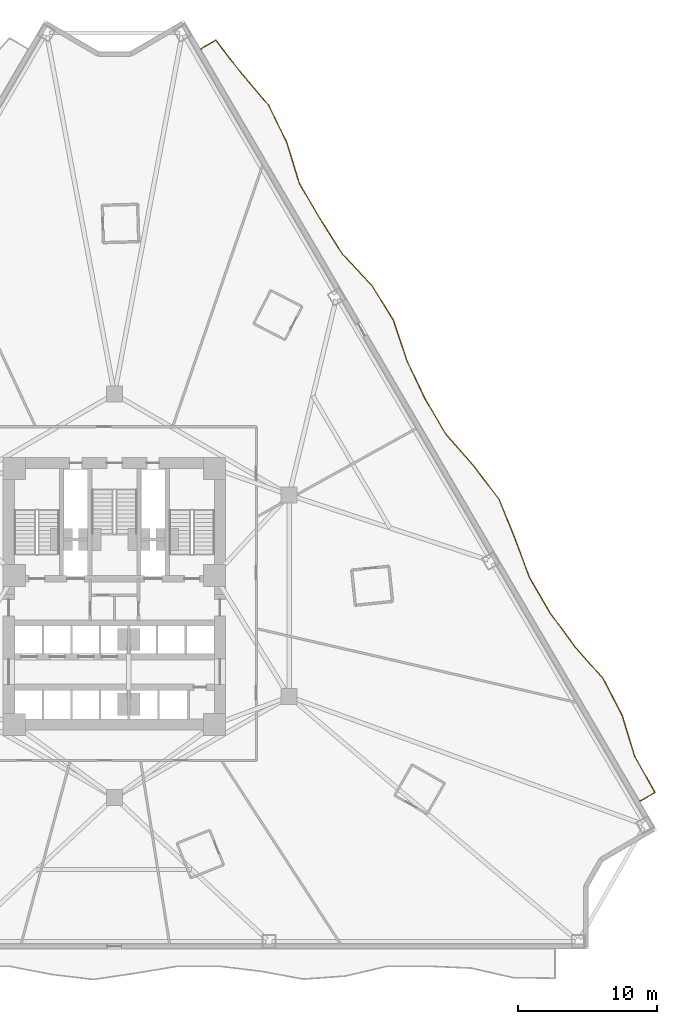
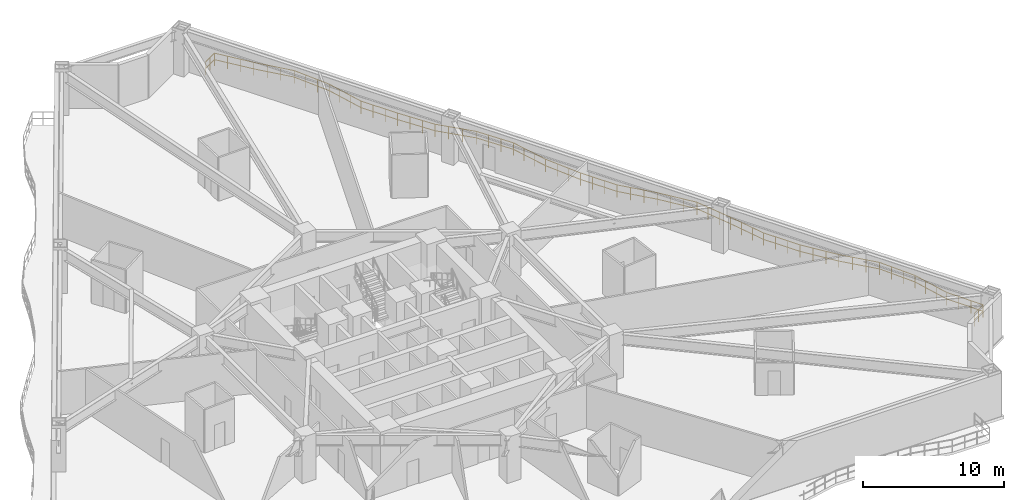
# One storey, part 12 of 12: 1 railing.
"""IFC4 building model written with IfcOpenShell, lengths in metres."""

from ifc_helpers import new_model, si_unit, direction, frame, origin, origin_2d, place, context, subcontext, project, spatial, rectangle, extrude, material, type_object, element, save


model = new_model("IFC4")

# Units and contexts
model_context = context("Model", 3, precision=1e-05, world=origin(), true_north=direction((0.0, 1.0)))
body_context = subcontext(model_context, "Body", "Model", "MODEL_VIEW")
ifc_project = project(units=[si_unit("LENGTHUNIT", "METRE"), si_unit("AREAUNIT", "SQUARE_METRE"), si_unit("VOLUMEUNIT", "CUBIC_METRE"), si_unit("PLANEANGLEUNIT", "RADIAN"), si_unit("MASSUNIT", "GRAM", prefix="KILO")], contexts=[model_context])

# Site, building, storey
site_placement = place(None, origin())
site = spatial("IfcSite", under=ifc_project, at=site_placement, CompositionType="ELEMENT")
building_placement = place(site_placement, origin())
building = spatial("IfcBuilding", under=site, at=building_placement, Name="Apsidion Concourse Tower", CompositionType="ELEMENT")
storey_placement = place(building_placement, frame((0.0, 0.0, 42.39990234375)))
storey = spatial("IfcBuildingStorey", under=building, at=storey_placement, Name="L08", CompositionType="ELEMENT", Elevation=42.39990234375)

# Railing
ifc_material = material(Name="Brushed stainless steel 316", Category="steel")
railing_type = type_object("IfcRailingType", Name="RL-BAL-1120", PredefinedType="BALUSTRADE", material=ifc_material)
railing_placement = place(storey_placement, frame((6.204833984375, 39.32275390625, 0.0)))
element("IfcRailing", 1, at=railing_placement, inside=storey, type_object=railing_type, Name="L08 Face 3 Rippling Balcony Balustrade", PredefinedType="BALUSTRADE", context=body_context, shape_type="SweptSolid", body=[
    extrude(rectangle(XDim=0.048095703125, YDim=0.048095703125, at=origin_2d()), frame((0.0, 0.0, 1.09619140625), z_axis=(0.863516668547, 0.504320298165, 0.0), x_axis=(-0.504320298165, 0.863516668547, 0.0)), (0.0, 0.0, 1.0), 1.25),
    extrude(rectangle(XDim=0.048095703125, YDim=0.048095703125, at=origin_2d()), frame((0.0, 0.0, 0.5361328125), z_axis=(0.863516668547, 0.504320298165, 0.0), x_axis=(-0.504320298165, 0.863516668547, 0.0)), (0.0, 0.0, 1.0), 1.25),
    extrude(rectangle(XDim=0.048095703125, YDim=0.048095703125, at=origin_2d()), frame((1.079345703125, 0.63037109375, 1.09619140625), z_axis=(0.611161026369, -0.791506285412, 0.0), x_axis=(0.791506285412, 0.611161026369, 0.0)), (0.0, 0.0, 1.0), 3.008056640625),
    extrude(rectangle(XDim=0.048095703125, YDim=0.048095703125, at=origin_2d()), frame((1.079345703125, 0.63037109375, 0.5361328125), z_axis=(0.611161026369, -0.791506285412, 0.0), x_axis=(0.791506285412, 0.611161026369, 0.0)), (0.0, 0.0, 1.0), 3.008056640625),
    extrude(rectangle(XDim=0.048095703125, YDim=0.048095703125, at=origin_2d()), frame((2.917724609375, -1.75048828125, 1.09619140625), z_axis=(0.650041556896, -0.759898660552, 0.0), x_axis=(0.759898660552, 0.650041556896, 0.0)), (0.0, 0.0, 1.0), 3.03125),
    extrude(rectangle(XDim=0.048095703125, YDim=0.048095703125, at=origin_2d()), frame((2.917724609375, -1.75048828125, 0.5361328125), z_axis=(0.650041556896, -0.759898660552, 0.0), x_axis=(0.759898660552, 0.650041556896, 0.0)), (0.0, 0.0, 1.0), 3.03125),
    extrude(rectangle(XDim=0.048095703125, YDim=0.048095703125, at=origin_2d()), frame((4.88818359375, -4.053955078125, 1.09619140625), z_axis=(0.437426480355, -0.899254176684, 0.0), x_axis=(0.899254176684, 0.437426480355, 0.0)), (0.0, 0.0, 1.0), 2.991455078125),
    extrude(rectangle(XDim=0.048095703125, YDim=0.048095703125, at=origin_2d()), frame((4.88818359375, -4.053955078125, 0.5361328125), z_axis=(0.437426480355, -0.899254176684, 0.0), x_axis=(0.899254176684, 0.437426480355, 0.0)), (0.0, 0.0, 1.0), 2.991455078125),
    extrude(rectangle(XDim=0.048095703125, YDim=0.048095703125, at=origin_2d()), frame((6.19677734375, -6.744140625, 1.09619140625), z_axis=(0.293285115644, -0.956025021085, 0.0), x_axis=(0.956025021085, 0.293285115644, 0.0)), (0.0, 0.0, 1.0), 3.064208984375),
    extrude(rectangle(XDim=0.048095703125, YDim=0.048095703125, at=origin_2d()), frame((6.19677734375, -6.744140625, 0.5361328125), z_axis=(0.293285115644, -0.956025021085, 0.0), x_axis=(0.956025021085, 0.293285115644, 0.0)), (0.0, 0.0, 1.0), 3.064208984375),
    extrude(rectangle(XDim=0.048095703125, YDim=0.048095703125, at=origin_2d()), frame((7.095458984375, -9.673583984375, 1.09619140625), z_axis=(0.504252641195, -0.863556178745, 0.0), x_axis=(0.863556178745, 0.504252641195, 0.0)), (0.0, 0.0, 1.0), 2.98291015625),
    extrude(rectangle(XDim=0.048095703125, YDim=0.048095703125, at=origin_2d()), frame((7.095458984375, -9.673583984375, 0.5361328125), z_axis=(0.504252641195, -0.863556178745, 0.0), x_axis=(0.863556178745, 0.504252641195, 0.0)), (0.0, 0.0, 1.0), 2.98291015625),
    extrude(rectangle(XDim=0.048095703125, YDim=0.048095703125, at=origin_2d()), frame((8.599609375, -12.24951171875, 1.09619140625), z_axis=(0.53652616534, -0.843883685057, 0.0), x_axis=(0.843883685057, 0.53652616534, 0.0)), (0.0, 0.0, 1.0), 2.985107421875),
    extrude(rectangle(XDim=0.048095703125, YDim=0.048095703125, at=origin_2d()), frame((8.599609375, -12.24951171875, 0.5361328125), z_axis=(0.53652616534, -0.843883685057, 0.0), x_axis=(0.843883685057, 0.53652616534, 0.0)), (0.0, 0.0, 1.0), 2.985107421875),
    extrude(rectangle(XDim=0.048095703125, YDim=0.048095703125, at=origin_2d()), frame((10.201171875, -14.7685546875, 1.09619140625), z_axis=(0.685327381945, -0.728235112829, 0.0), x_axis=(0.728235112829, 0.685327381945, 0.0)), (0.0, 0.0, 1.0), 3.061279296875),
    extrude(rectangle(XDim=0.048095703125, YDim=0.048095703125, at=origin_2d()), frame((10.201171875, -14.7685546875, 0.5361328125), z_axis=(0.685327381945, -0.728235112829, 0.0), x_axis=(0.728235112829, 0.685327381945, 0.0)), (0.0, 0.0, 1.0), 3.061279296875),
    extrude(rectangle(XDim=0.048095703125, YDim=0.048095703125, at=origin_2d()), frame((12.299072265625, -16.997802734375, 1.09619140625), z_axis=(0.525999671991, -0.850484770625, 0.0), x_axis=(0.850484770625, 0.525999671991, 0.0)), (0.0, 0.0, 1.0), 2.98388671875),
    extrude(rectangle(XDim=0.048095703125, YDim=0.048095703125, at=origin_2d()), frame((12.299072265625, -16.997802734375, 0.5361328125), z_axis=(0.525999671991, -0.850484770625, 0.0), x_axis=(0.850484770625, 0.525999671991, 0.0)), (0.0, 0.0, 1.0), 2.98388671875),
    extrude(rectangle(XDim=0.048095703125, YDim=0.048095703125, at=origin_2d()), frame((13.86865234375, -19.53564453125, 1.09619140625), z_axis=(0.315218503505, -0.949019122594, 0.0), x_axis=(0.949019122594, 0.315218503505, 0.0)), (0.0, 0.0, 1.0), 3.048583984375),
    extrude(rectangle(XDim=0.048095703125, YDim=0.048095703125, at=origin_2d()), frame((13.86865234375, -19.53564453125, 0.5361328125), z_axis=(0.315218503505, -0.949019122594, 0.0), x_axis=(0.949019122594, 0.315218503505, 0.0)), (0.0, 0.0, 1.0), 3.048583984375),
    extrude(rectangle(XDim=0.048095703125, YDim=0.048095703125, at=origin_2d()), frame((14.82958984375, -22.4287109375, 1.09619140625), z_axis=(0.431022492513, -0.902341183227, 0.0), x_axis=(0.902341183227, 0.431022492513, 0.0)), (0.0, 0.0, 1.0), 2.992919921875),
    extrude(rectangle(XDim=0.048095703125, YDim=0.048095703125, at=origin_2d()), frame((14.82958984375, -22.4287109375, 0.5361328125), z_axis=(0.431022492513, -0.902341183227, 0.0), x_axis=(0.902341183227, 0.431022492513, 0.0)), (0.0, 0.0, 1.0), 2.992919921875),
    extrude(rectangle(XDim=0.048095703125, YDim=0.048095703125, at=origin_2d()), frame((16.11962890625, -25.12939453125, 1.09619140625), z_axis=(0.504217003444, -0.863576987557, 0.0), x_axis=(0.863576987557, 0.504217003444, 0.0)), (0.0, 0.0, 1.0), 2.983154296875),
    extrude(rectangle(XDim=0.048095703125, YDim=0.048095703125, at=origin_2d()), frame((16.11962890625, -25.12939453125, 0.5361328125), z_axis=(0.504217003444, -0.863576987557, 0.0), x_axis=(0.863576987557, 0.504217003444, 0.0)), (0.0, 0.0, 1.0), 2.983154296875),
    extrude(rectangle(XDim=0.048095703125, YDim=0.048095703125, at=origin_2d()), frame((17.623779296875, -27.70556640625, 1.09619140625), z_axis=(0.660866863716, -0.75050315685, 0.0), x_axis=(0.75050315685, 0.660866863716, 0.0)), (0.0, 0.0, 1.0), 3.03955078125),
    extrude(rectangle(XDim=0.048095703125, YDim=0.048095703125, at=origin_2d()), frame((17.623779296875, -27.70556640625, 0.5361328125), z_axis=(0.660866863716, -0.75050315685, 0.0), x_axis=(0.75050315685, 0.660866863716, 0.0)), (0.0, 0.0, 1.0), 3.03955078125),
    extrude(rectangle(XDim=0.048095703125, YDim=0.048095703125, at=origin_2d()), frame((19.632568359375, -29.98681640625, 1.09619140625), z_axis=(0.605264525514, -0.796024405502, 0.0), x_axis=(0.796024405502, 0.605264525514, 0.0)), (0.0, 0.0, 1.0), 3.005126953125),
    extrude(rectangle(XDim=0.048095703125, YDim=0.048095703125, at=origin_2d()), frame((19.632568359375, -29.98681640625, 0.5361328125), z_axis=(0.605264525514, -0.796024405502, 0.0), x_axis=(0.796024405502, 0.605264525514, 0.0)), (0.0, 0.0, 1.0), 3.005126953125),
    extrude(rectangle(XDim=0.048095703125, YDim=0.048095703125, at=origin_2d()), frame((21.451416015625, -32.37890625, 1.09619140625), z_axis=(0.376148864825, -0.926559243379, 0.0), x_axis=(0.926559243379, 0.376148864825, 0.0)), (0.0, 0.0, 1.0), 3.013671875),
    extrude(rectangle(XDim=0.048095703125, YDim=0.048095703125, at=origin_2d()), frame((21.451416015625, -32.37890625, 0.5361328125), z_axis=(0.376148864825, -0.926559243379, 0.0), x_axis=(0.926559243379, 0.376148864825, 0.0)), (0.0, 0.0, 1.0), 3.013671875),
    extrude(rectangle(XDim=0.048095703125, YDim=0.048095703125, at=origin_2d()), frame((22.5849609375, -35.171142578125, 1.09619140625), z_axis=(0.348312037456, -0.937378645246, 0.0), x_axis=(0.937378645246, 0.348312037456, 0.0)), (0.0, 0.0, 1.0), 3.028076171875),
    extrude(rectangle(XDim=0.048095703125, YDim=0.048095703125, at=origin_2d()), frame((22.5849609375, -35.171142578125, 0.5361328125), z_axis=(0.348312037456, -0.937378645246, 0.0), x_axis=(0.937378645246, 0.348312037456, 0.0)), (0.0, 0.0, 1.0), 3.028076171875),
    extrude(rectangle(XDim=0.048095703125, YDim=0.048095703125, at=origin_2d()), frame((23.6396484375, -38.009521484375, 1.09619140625), z_axis=(0.504252641195, -0.863556178745, 0.0), x_axis=(0.863556178745, 0.504252641195, 0.0)), (0.0, 0.0, 1.0), 2.98291015625),
    extrude(rectangle(XDim=0.048095703125, YDim=0.048095703125, at=origin_2d()), frame((23.6396484375, -38.009521484375, 0.5361328125), z_axis=(0.504252641195, -0.863556178745, 0.0), x_axis=(0.863556178745, 0.504252641195, 0.0)), (0.0, 0.0, 1.0), 2.98291015625),
    extrude(rectangle(XDim=0.048095703125, YDim=0.048095703125, at=origin_2d()), frame((25.143798828125, -40.58544921875, 1.09619140625), z_axis=(0.592735316258, -0.805397321116, 0.0), x_axis=(0.805397321116, 0.592735316258, 0.0)), (0.0, 0.0, 1.0), 2.999755859375),
    extrude(rectangle(XDim=0.048095703125, YDim=0.048095703125, at=origin_2d()), frame((25.143798828125, -40.58544921875, 0.5361328125), z_axis=(0.592735316258, -0.805397321116, 0.0), x_axis=(0.805397321116, 0.592735316258, 0.0)), (0.0, 0.0, 1.0), 2.999755859375),
    extrude(rectangle(XDim=0.048095703125, YDim=0.048095703125, at=origin_2d()), frame((26.921875, -43.00146484375, 1.09619140625), z_axis=(0.661773011025, -0.749704262945, 0.0), x_axis=(0.749704262945, 0.661773011025, 0.0)), (0.0, 0.0, 1.0), 3.040283203125),
    extrude(rectangle(XDim=0.048095703125, YDim=0.048095703125, at=origin_2d()), frame((26.921875, -43.00146484375, 0.5361328125), z_axis=(0.661773011025, -0.749704262945, 0.0), x_axis=(0.749704262945, 0.661773011025, 0.0)), (0.0, 0.0, 1.0), 3.040283203125),
    extrude(rectangle(XDim=0.048095703125, YDim=0.048095703125, at=origin_2d()), frame((28.933837890625, -45.28076171875, 1.09619140625), z_axis=(0.459563012331, -0.888145167018, 0.0), x_axis=(0.888145167018, 0.459563012331, 0.0)), (0.0, 0.0, 1.0), 2.986572265625),
    extrude(rectangle(XDim=0.048095703125, YDim=0.048095703125, at=origin_2d()), frame((28.933837890625, -45.28076171875, 0.5361328125), z_axis=(0.459563012331, -0.888145167018, 0.0), x_axis=(0.888145167018, 0.459563012331, 0.0)), (0.0, 0.0, 1.0), 2.986572265625),
    extrude(rectangle(XDim=0.048095703125, YDim=0.048095703125, at=origin_2d()), frame((30.306396484375, -47.933349609375, 1.09619140625), z_axis=(0.29172884199, -0.956501062598, 0.0), x_axis=(0.956501062598, 0.29172884199, 0.0)), (0.0, 0.0, 1.0), 3.0654296875),
    extrude(rectangle(XDim=0.048095703125, YDim=0.048095703125, at=origin_2d()), frame((30.306396484375, -47.933349609375, 0.5361328125), z_axis=(0.29172884199, -0.956501062598, 0.0), x_axis=(0.956501062598, 0.29172884199, 0.0)), (0.0, 0.0, 1.0), 3.0654296875),
    extrude(rectangle(XDim=0.048095703125, YDim=0.048095703125, at=origin_2d()), frame((31.20068359375, -50.865478515625, 1.09619140625), z_axis=(0.490505990311, -0.871437819623, 0.0), x_axis=(0.871437819623, 0.490505990311, 0.0)), (0.0, 0.0, 1.0), 2.9833984375),
    extrude(rectangle(XDim=0.048095703125, YDim=0.048095703125, at=origin_2d()), frame((31.20068359375, -50.865478515625, 0.5361328125), z_axis=(0.490505990311, -0.871437819623, 0.0), x_axis=(0.871437819623, 0.490505990311, 0.0)), (0.0, 0.0, 1.0), 2.9833984375),
    extrude(rectangle(XDim=0.048095703125, YDim=0.048095703125, at=origin_2d()), frame((32.6640625, -53.46533203125, 1.09619140625), z_axis=(-0.863651366555, -0.504089592283, 0.0), x_axis=(0.504089592283, -0.863651366555, 0.0)), (0.0, 0.0, 1.0), 1.25),
    extrude(rectangle(XDim=0.048095703125, YDim=0.048095703125, at=origin_2d()), frame((32.6640625, -53.46533203125, 0.5361328125), z_axis=(-0.863651366555, -0.504089592283, 0.0), x_axis=(0.504089592283, -0.863651366555, 0.0)), (0.0, 0.0, 1.0), 1.25),
    extrude(rectangle(XDim=0.0419921875, YDim=0.0419921875, at=origin_2d()), origin(), (0.0, 0.0, 1.0), 1.072021484375),
    extrude(rectangle(XDim=0.0419921875, YDim=0.0419921875, at=origin_2d()), frame((0.53955078125, 0.315185546875, 0.0)), (0.0, 0.0, 1.0), 1.072021484375),
    extrude(rectangle(XDim=0.0419921875, YDim=0.0419921875, at=origin_2d()), frame((1.079345703125, 0.63037109375, 0.0)), (0.0, 0.0, 1.0), 1.072021484375),
    extrude(rectangle(XDim=0.0419921875, YDim=0.0419921875, at=origin_2d()), frame((1.692138671875, -0.163330078125, 0.0)), (0.0, 0.0, 1.0), 1.072021484375),
    extrude(rectangle(XDim=0.0419921875, YDim=0.0419921875, at=origin_2d()), frame((2.304931640625, -0.956787109375, 0.0)), (0.0, 0.0, 1.0), 1.072021484375),
    extrude(rectangle(XDim=0.0419921875, YDim=0.0419921875, at=origin_2d()), frame((2.917724609375, -1.75048828125, 0.0)), (0.0, 0.0, 1.0), 1.072021484375),
    extrude(rectangle(XDim=0.0419921875, YDim=0.0419921875, at=origin_2d()), frame((3.574462890625, -2.518310546875, 0.0)), (0.0, 0.0, 1.0), 1.072021484375),
    extrude(rectangle(XDim=0.0419921875, YDim=0.0419921875, at=origin_2d()), frame((4.2314453125, -3.2861328125, 0.0)), (0.0, 0.0, 1.0), 1.072021484375),
    extrude(rectangle(XDim=0.0419921875, YDim=0.0419921875, at=origin_2d()), frame((4.88818359375, -4.053955078125, 0.0)), (0.0, 0.0, 1.0), 1.072021484375),
    extrude(rectangle(XDim=0.0419921875, YDim=0.0419921875, at=origin_2d()), frame((5.324462890625, -4.95068359375, 0.0)), (0.0, 0.0, 1.0), 1.072021484375),
    extrude(rectangle(XDim=0.0419921875, YDim=0.0419921875, at=origin_2d()), frame((5.760498046875, -5.847412109375, 0.0)), (0.0, 0.0, 1.0), 1.072021484375),
    extrude(rectangle(XDim=0.0419921875, YDim=0.0419921875, at=origin_2d()), frame((6.19677734375, -6.744140625, 0.0)), (0.0, 0.0, 1.0), 1.072021484375),
    extrude(rectangle(XDim=0.0419921875, YDim=0.0419921875, at=origin_2d()), frame((6.496337890625, -7.720703125, 0.0)), (0.0, 0.0, 1.0), 1.072021484375),
    extrude(rectangle(XDim=0.0419921875, YDim=0.0419921875, at=origin_2d()), frame((6.7958984375, -8.697021484375, 0.0)), (0.0, 0.0, 1.0), 1.072021484375),
    extrude(rectangle(XDim=0.0419921875, YDim=0.0419921875, at=origin_2d()), frame((7.095458984375, -9.673583984375, 0.0)), (0.0, 0.0, 1.0), 1.072021484375),
    extrude(rectangle(XDim=0.0419921875, YDim=0.0419921875, at=origin_2d()), frame((7.596923828125, -10.5322265625, 0.0)), (0.0, 0.0, 1.0), 1.072021484375),
    extrude(rectangle(XDim=0.0419921875, YDim=0.0419921875, at=origin_2d()), frame((8.09814453125, -11.390869140625, 0.0)), (0.0, 0.0, 1.0), 1.072021484375),
    extrude(rectangle(XDim=0.0419921875, YDim=0.0419921875, at=origin_2d()), frame((8.599609375, -12.24951171875, 0.0)), (0.0, 0.0, 1.0), 1.072021484375),
    extrude(rectangle(XDim=0.0419921875, YDim=0.0419921875, at=origin_2d()), frame((9.133544921875, -13.089111328125, 0.0)), (0.0, 0.0, 1.0), 1.072021484375),
    extrude(rectangle(XDim=0.0419921875, YDim=0.0419921875, at=origin_2d()), frame((9.667236328125, -13.928955078125, 0.0)), (0.0, 0.0, 1.0), 1.072021484375),
    extrude(rectangle(XDim=0.0419921875, YDim=0.0419921875, at=origin_2d()), frame((10.201171875, -14.7685546875, 0.0)), (0.0, 0.0, 1.0), 1.072021484375),
    extrude(rectangle(XDim=0.0419921875, YDim=0.0419921875, at=origin_2d()), frame((10.900390625, -15.51171875, 0.0)), (0.0, 0.0, 1.0), 1.072021484375),
    extrude(rectangle(XDim=0.0419921875, YDim=0.0419921875, at=origin_2d()), frame((11.599853515625, -16.254638671875, 0.0)), (0.0, 0.0, 1.0), 1.072021484375),
    extrude(rectangle(XDim=0.0419921875, YDim=0.0419921875, at=origin_2d()), frame((12.299072265625, -16.997802734375, 0.0)), (0.0, 0.0, 1.0), 1.072021484375),
    extrude(rectangle(XDim=0.0419921875, YDim=0.0419921875, at=origin_2d()), frame((12.822265625, -17.84375, 0.0)), (0.0, 0.0, 1.0), 1.072021484375),
    extrude(rectangle(XDim=0.0419921875, YDim=0.0419921875, at=origin_2d()), frame((13.345458984375, -18.689697265625, 0.0)), (0.0, 0.0, 1.0), 1.072021484375),
    extrude(rectangle(XDim=0.0419921875, YDim=0.0419921875, at=origin_2d()), frame((13.86865234375, -19.53564453125, 0.0)), (0.0, 0.0, 1.0), 1.072021484375),
    extrude(rectangle(XDim=0.0419921875, YDim=0.0419921875, at=origin_2d()), frame((14.18896484375, -20.5, 0.0)), (0.0, 0.0, 1.0), 1.072021484375),
    extrude(rectangle(XDim=0.0419921875, YDim=0.0419921875, at=origin_2d()), frame((14.50927734375, -21.46435546875, 0.0)), (0.0, 0.0, 1.0), 1.072021484375),
    extrude(rectangle(XDim=0.0419921875, YDim=0.0419921875, at=origin_2d()), frame((14.82958984375, -22.4287109375, 0.0)), (0.0, 0.0, 1.0), 1.072021484375),
    extrude(rectangle(XDim=0.0419921875, YDim=0.0419921875, at=origin_2d()), frame((15.259521484375, -23.328857421875, 0.0)), (0.0, 0.0, 1.0), 1.072021484375),
    extrude(rectangle(XDim=0.0419921875, YDim=0.0419921875, at=origin_2d()), frame((15.689697265625, -24.229248046875, 0.0)), (0.0, 0.0, 1.0), 1.072021484375),
    extrude(rectangle(XDim=0.0419921875, YDim=0.0419921875, at=origin_2d()), frame((16.11962890625, -25.12939453125, 0.0)), (0.0, 0.0, 1.0), 1.072021484375),
    extrude(rectangle(XDim=0.0419921875, YDim=0.0419921875, at=origin_2d()), frame((16.62109375, -25.988037109375, 0.0)), (0.0, 0.0, 1.0), 1.072021484375),
    extrude(rectangle(XDim=0.0419921875, YDim=0.0419921875, at=origin_2d()), frame((17.122314453125, -26.846923828125, 0.0)), (0.0, 0.0, 1.0), 1.072021484375),
    extrude(rectangle(XDim=0.0419921875, YDim=0.0419921875, at=origin_2d()), frame((17.623779296875, -27.70556640625, 0.0)), (0.0, 0.0, 1.0), 1.072021484375),
    extrude(rectangle(XDim=0.0419921875, YDim=0.0419921875, at=origin_2d()), frame((18.29345703125, -28.466064453125, 0.0)), (0.0, 0.0, 1.0), 1.072021484375),
    extrude(rectangle(XDim=0.0419921875, YDim=0.0419921875, at=origin_2d()), frame((18.962890625, -29.226318359375, 0.0)), (0.0, 0.0, 1.0), 1.072021484375),
    extrude(rectangle(XDim=0.0419921875, YDim=0.0419921875, at=origin_2d()), frame((19.632568359375, -29.98681640625, 0.0)), (0.0, 0.0, 1.0), 1.072021484375),
    extrude(rectangle(XDim=0.0419921875, YDim=0.0419921875, at=origin_2d()), frame((20.23876953125, -30.7841796875, 0.0)), (0.0, 0.0, 1.0), 1.072021484375),
    extrude(rectangle(XDim=0.0419921875, YDim=0.0419921875, at=origin_2d()), frame((20.84521484375, -31.58154296875, 0.0)), (0.0, 0.0, 1.0), 1.072021484375),
    extrude(rectangle(XDim=0.0419921875, YDim=0.0419921875, at=origin_2d()), frame((21.451416015625, -32.37890625, 0.0)), (0.0, 0.0, 1.0), 1.072021484375),
    extrude(rectangle(XDim=0.0419921875, YDim=0.0419921875, at=origin_2d()), frame((21.829345703125, -33.3095703125, 0.0)), (0.0, 0.0, 1.0), 1.072021484375),
    extrude(rectangle(XDim=0.0419921875, YDim=0.0419921875, at=origin_2d()), frame((22.20703125, -34.240478515625, 0.0)), (0.0, 0.0, 1.0), 1.072021484375),
    extrude(rectangle(XDim=0.0419921875, YDim=0.0419921875, at=origin_2d()), frame((22.5849609375, -35.171142578125, 0.0)), (0.0, 0.0, 1.0), 1.072021484375),
    extrude(rectangle(XDim=0.0419921875, YDim=0.0419921875, at=origin_2d()), frame((22.9365234375, -36.1171875, 0.0)), (0.0, 0.0, 1.0), 1.072021484375),
    extrude(rectangle(XDim=0.0419921875, YDim=0.0419921875, at=origin_2d()), frame((23.2880859375, -37.0634765625, 0.0)), (0.0, 0.0, 1.0), 1.072021484375),
    extrude(rectangle(XDim=0.0419921875, YDim=0.0419921875, at=origin_2d()), frame((23.6396484375, -38.009521484375, 0.0)), (0.0, 0.0, 1.0), 1.072021484375),
    extrude(rectangle(XDim=0.0419921875, YDim=0.0419921875, at=origin_2d()), frame((24.14111328125, -38.8681640625, 0.0)), (0.0, 0.0, 1.0), 1.072021484375),
    extrude(rectangle(XDim=0.0419921875, YDim=0.0419921875, at=origin_2d()), frame((24.642333984375, -39.726806640625, 0.0)), (0.0, 0.0, 1.0), 1.072021484375),
    extrude(rectangle(XDim=0.0419921875, YDim=0.0419921875, at=origin_2d()), frame((25.143798828125, -40.58544921875, 0.0)), (0.0, 0.0, 1.0), 1.072021484375),
    extrude(rectangle(XDim=0.0419921875, YDim=0.0419921875, at=origin_2d()), frame((25.736572265625, -41.390869140625, 0.0)), (0.0, 0.0, 1.0), 1.072021484375),
    extrude(rectangle(XDim=0.0419921875, YDim=0.0419921875, at=origin_2d()), frame((26.3291015625, -42.196044921875, 0.0)), (0.0, 0.0, 1.0), 1.072021484375),
    extrude(rectangle(XDim=0.0419921875, YDim=0.0419921875, at=origin_2d()), frame((26.921875, -43.00146484375, 0.0)), (0.0, 0.0, 1.0), 1.072021484375),
    extrude(rectangle(XDim=0.0419921875, YDim=0.0419921875, at=origin_2d()), frame((27.592529296875, -43.76123046875, 0.0)), (0.0, 0.0, 1.0), 1.072021484375),
    extrude(rectangle(XDim=0.0419921875, YDim=0.0419921875, at=origin_2d()), frame((28.26318359375, -44.52099609375, 0.0)), (0.0, 0.0, 1.0), 1.072021484375),
    extrude(rectangle(XDim=0.0419921875, YDim=0.0419921875, at=origin_2d()), frame((28.933837890625, -45.28076171875, 0.0)), (0.0, 0.0, 1.0), 1.072021484375),
    extrude(rectangle(XDim=0.0419921875, YDim=0.0419921875, at=origin_2d()), frame((29.391357421875, -46.1650390625, 0.0)), (0.0, 0.0, 1.0), 1.072021484375),
    extrude(rectangle(XDim=0.0419921875, YDim=0.0419921875, at=origin_2d()), frame((29.848876953125, -47.049072265625, 0.0)), (0.0, 0.0, 1.0), 1.072021484375),
    extrude(rectangle(XDim=0.0419921875, YDim=0.0419921875, at=origin_2d()), frame((30.306396484375, -47.933349609375, 0.0)), (0.0, 0.0, 1.0), 1.072021484375),
    extrude(rectangle(XDim=0.0419921875, YDim=0.0419921875, at=origin_2d()), frame((30.6044921875, -48.91064453125, 0.0)), (0.0, 0.0, 1.0), 1.072021484375),
    extrude(rectangle(XDim=0.0419921875, YDim=0.0419921875, at=origin_2d()), frame((30.902587890625, -49.88818359375, 0.0)), (0.0, 0.0, 1.0), 1.072021484375),
    extrude(rectangle(XDim=0.0419921875, YDim=0.0419921875, at=origin_2d()), frame((31.20068359375, -50.865478515625, 0.0)), (0.0, 0.0, 1.0), 1.072021484375),
    extrude(rectangle(XDim=0.0419921875, YDim=0.0419921875, at=origin_2d()), frame((31.6884765625, -51.732177734375, 0.0)), (0.0, 0.0, 1.0), 1.072021484375),
    extrude(rectangle(XDim=0.0419921875, YDim=0.0419921875, at=origin_2d()), frame((32.17626953125, -52.5986328125, 0.0)), (0.0, 0.0, 1.0), 1.072021484375),
    extrude(rectangle(XDim=0.0419921875, YDim=0.0419921875, at=origin_2d()), frame((32.6640625, -53.46533203125, 0.0)), (0.0, 0.0, 1.0), 1.072021484375),
    extrude(rectangle(XDim=0.0419921875, YDim=0.0419921875, at=origin_2d()), frame((32.124267578125, -53.7802734375, 0.0)), (0.0, 0.0, 1.0), 1.072021484375),
    extrude(rectangle(XDim=0.0419921875, YDim=0.0419921875, at=origin_2d()), frame((31.58447265625, -54.095458984375, 0.0)), (0.0, 0.0, 1.0), 1.072021484375),
])

save(model, "model.ifc")
